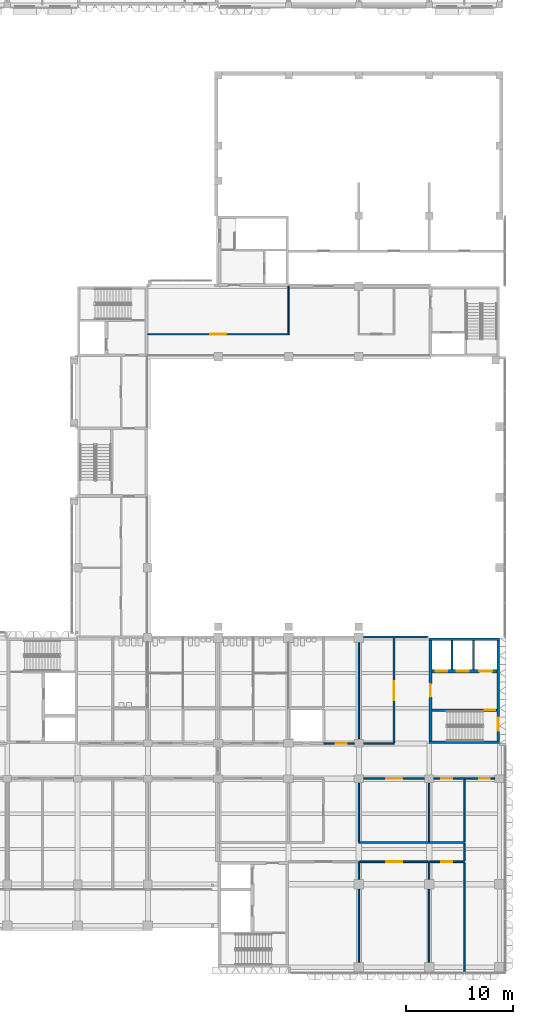
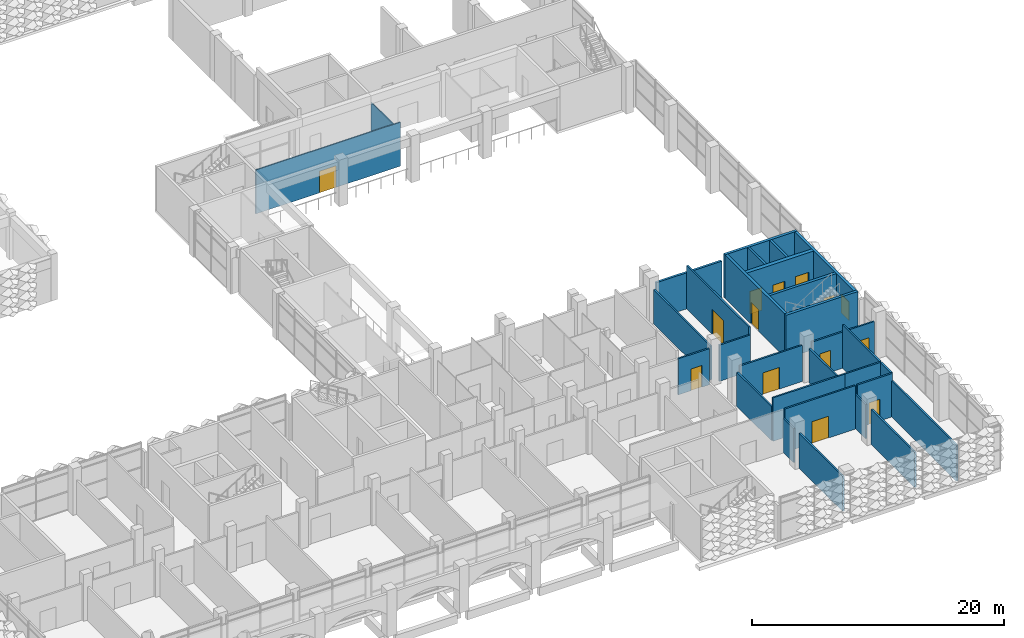
# One storey, part 31 of 87: 31 walls, 13 doors, 1 window, 14 openings.
"""IFC4 building model written with IfcOpenShell, lengths in metres."""

from ifc_helpers import new_model, si_unit, direction, frame, frame_2d, origin, place, context, subcontext, project, spatial, rectangle, extrude, material, layer, layer_set, type_object, element, fill, save


model = new_model("IFC4")

# Units and contexts
model_context = context("Model", 3, precision=1e-05, world=origin(), true_north=direction((0.0, 1.0)))
body_context = subcontext(model_context, "Body", "Model", "MODEL_VIEW")
ifc_project = project(units=[si_unit("LENGTHUNIT", "METRE"), si_unit("AREAUNIT", "SQUARE_METRE"), si_unit("VOLUMEUNIT", "CUBIC_METRE"), si_unit("PLANEANGLEUNIT", "RADIAN"), si_unit("MASSUNIT", "GRAM", prefix="KILO")], contexts=[model_context])

# Site, building, storey
site_placement = place(None, origin())
site = spatial("IfcSite", under=ifc_project, at=site_placement, CompositionType="ELEMENT")
building_placement = place(site_placement, origin())
building = spatial("IfcBuilding", under=site, at=building_placement, Name="Lantern Court Research Institute", CompositionType="ELEMENT")
storey_placement = place(building_placement, frame((0.0, 0.0, 5.39990234375)))
storey = spatial("IfcBuildingStorey", under=building, at=storey_placement, Name="L01", CompositionType="ELEMENT", Elevation=5.39990234375)

# Wall, opening, door
ifc_material_1 = material(Name="Fire-rated gypsum board partition, mineral wool filled")
ifc_layer_1 = layer(ifc_material_1, 0.14990234375)
ifc_layer_set_1 = layer_set([ifc_layer_1], Name="Fire-rated gypsum board partition, mineral wool filled")
wall_type_1 = type_object("IfcWallType", Name="Laboratory partition 150 EI 60", PredefinedType="PARTITIONING", material=ifc_layer_set_1)
wall_1_placement = place(storey_placement, frame((62.699951171875, 13.199951171875, 0.0), z_axis=(0.0, 0.0, 1.0), x_axis=(1.0, 0.0, 0.0)))
wall_1 = element("IfcWall", 1, at=wall_1_placement, inside=storey, type_object=wall_type_1, Name="Laboratory partition 150 EI 60", PredefinedType="PARTITIONING", context=body_context, shape_type="SweptSolid", body=[
    extrude(rectangle(XDim=2.85009765625, YDim=0.14990234375, at=frame_2d((1.425048828125, 0.0))), origin(), (0.0, 0.0, 1.0), 3.5),
])
opening_1_placement = place(wall_1_placement, frame((1.14990234375, 0.0, 0.0)))
opening_1 = element("IfcOpeningElement", 2, at=opening_1_placement, cuts=wall_1, Name="Opening D5107", PredefinedType="OPENING", context=body_context, shape_type="SweptSolid", body=[
    extrude(rectangle(XDim=1.0, YDim=2.10009765625, at=frame_2d((0.5, 1.050048828125))), frame((0.0, 0.0849609375, 0.0), z_axis=(0.0, -1.0, 0.0), x_axis=(1.0, 0.0, 0.0)), (0.0, 0.0, 1.0), 0.169921875),
])
ifc_material_2 = material(Name="Solid-core timber door leaf with vision panel", Category="wood")
ifc_layer_2 = layer(ifc_material_2, 0.053955078125)
ifc_layer_set_2 = layer_set([ifc_layer_2], Name="Solid-core timber door leaf with vision panel")
door_type_1 = type_object("IfcDoorType", Name="Laboratory support door 1000 x 2100 single FD30S", OperationType="NOTDEFINED", PredefinedType="DOOR", material=ifc_layer_set_2)
door_1_placement = place(opening_1_placement, origin())
door_1 = element("IfcDoor", 3, at=door_1_placement, inside=storey, type_object=door_type_1, Name="Door D5107", OperationType="SINGLE_SWING_RIGHT", OverallHeight=2.10009765625, OverallWidth=1.0, PredefinedType="DOOR", context=body_context, shape_type="SweptSolid", body=[
    extrude(rectangle(XDim=1.0, YDim=2.10009765625, at=frame_2d((0.5, 1.050048828125))), frame((0.0, 0.02685546875, 0.0), z_axis=(0.0, -1.0, 0.0), x_axis=(1.0, 0.0, 0.0)), (0.0, 0.0, 1.0), 0.053955078125),
])
fill(opening_1, door_1)

# Wall
wall_2_placement = place(storey_placement, frame((69.300048828125, 13.199951171875, 0.0), z_axis=(0.0, 0.0, 1.0), x_axis=(-1.0, 0.0, 0.0)))
element("IfcWall", 4, at=wall_2_placement, inside=storey, type_object=wall_type_1, Name="Laboratory partition 150 EI 60", PredefinedType="PARTITIONING", context=body_context, shape_type="SweptSolid", body=[
    extrude(rectangle(XDim=2.85009765625, YDim=0.14990234375, at=frame_2d((1.425048828125, 0.0))), origin(), (0.0, 0.0, 1.0), 3.5),
])

# Wall, opening, door
wall_3_placement = place(storey_placement, frame((66.449951171875, 9.89990234375, 0.0), z_axis=(0.0, 0.0, 1.0), x_axis=(1.0, 0.0, 0.0)))
wall_3 = element("IfcWall", 5, at=wall_3_placement, inside=storey, type_object=wall_type_1, Name="Laboratory partition 150 EI 60", PredefinedType="PARTITIONING", context=body_context, shape_type="SweptSolid", body=[
    extrude(rectangle(XDim=5.699951171875, YDim=0.14990234375, at=frame_2d((2.85009765625, 0.0))), origin(), (0.0, 0.0, 1.0), 3.5),
])
opening_2_placement = place(wall_3_placement, frame((2.10009765625, 0.0, 0.0)))
opening_2 = element("IfcOpeningElement", 6, at=opening_2_placement, cuts=wall_3, Name="Opening D5114", PredefinedType="OPENING", context=body_context, shape_type="SweptSolid", body=[
    extrude(rectangle(XDim=1.5, YDim=2.10009765625, at=frame_2d((0.75, 1.050048828125))), frame((0.0, 0.0849609375, 0.0), z_axis=(0.0, -1.0, 0.0), x_axis=(1.0, 0.0, 0.0)), (0.0, 0.0, 1.0), 0.169921875),
])
ifc_material_3 = material(Name="Solid-core timber door leaf with vision panel", Category="wood")
ifc_layer_3 = layer(ifc_material_3, 0.053955078125)
ifc_layer_set_3 = layer_set([ifc_layer_3], Name="Solid-core timber door leaf with vision panel")
door_type_2 = type_object("IfcDoorType", Name="Laboratory double door 1500 x 2100 pair FD30S", OperationType="DOUBLE_DOOR_SINGLE_SWING", PredefinedType="DOOR", material=ifc_layer_set_3)
door_2_placement = place(opening_2_placement, origin())
door_2 = element("IfcDoor", 7, at=door_2_placement, inside=storey, type_object=door_type_2, Name="Door D5114", OperationType="DOUBLE_DOOR_SINGLE_SWING", OverallHeight=2.10009765625, OverallWidth=1.5, PredefinedType="DOOR", context=body_context, shape_type="SweptSolid", body=[
    extrude(rectangle(XDim=1.5, YDim=2.10009765625, at=frame_2d((0.75, 1.050048828125))), frame((0.0, 0.02685546875, 0.0), z_axis=(0.0, -1.0, 0.0), x_axis=(1.0, 0.0, 0.0)), (0.0, 0.0, 1.0), 0.053955078125),
])
fill(opening_2, door_2)

wall_4_placement = place(storey_placement, frame((73.050048828125, 9.89990234375, 0.0), z_axis=(0.0, 0.0, 1.0), x_axis=(1.0, 0.0, 0.0)))
wall_4 = element("IfcWall", 8, at=wall_4_placement, inside=storey, type_object=wall_type_1, Name="Laboratory partition 150 EI 60", PredefinedType="PARTITIONING", context=body_context, shape_type="SweptSolid", body=[
    extrude(rectangle(XDim=2.849853515625, YDim=0.14990234375, at=frame_2d((1.4248046875, 0.0))), origin(), (0.0, 0.0, 1.0), 3.5),
])
opening_3_placement = place(wall_4_placement, frame((0.699951171875, 0.0, 0.0)))
opening_3 = element("IfcOpeningElement", 9, at=opening_3_placement, cuts=wall_4, Name="Opening D5115", PredefinedType="OPENING", context=body_context, shape_type="SweptSolid", body=[
    extrude(rectangle(XDim=1.0, YDim=2.10009765625, at=frame_2d((0.5, 1.050048828125))), frame((0.0, 0.0849609375, 0.0), z_axis=(0.0, -1.0, 0.0), x_axis=(1.0, 0.0, 0.0)), (0.0, 0.0, 1.0), 0.169921875),
])
ifc_material_4 = material(Name="Solid-core timber door leaf with vision panel", Category="wood")
ifc_layer_4 = layer(ifc_material_4, 0.053955078125)
ifc_layer_set_4 = layer_set([ifc_layer_4], Name="Solid-core timber door leaf with vision panel")
door_type_3 = type_object("IfcDoorType", Name="Laboratory door 1000 x 2100 single FD30S", OperationType="NOTDEFINED", PredefinedType="DOOR", material=ifc_layer_set_4)
door_3_placement = place(opening_3_placement, origin())
door_3 = element("IfcDoor", 10, at=door_3_placement, inside=storey, type_object=door_type_3, Name="Door D5115", OperationType="SINGLE_SWING_LEFT", OverallHeight=2.10009765625, OverallWidth=1.0, PredefinedType="DOOR", context=body_context, shape_type="SweptSolid", body=[
    extrude(rectangle(XDim=1.0, YDim=2.10009765625, at=frame_2d((0.5, 1.050048828125))), frame((0.0, 0.02685546875, 0.0), z_axis=(0.0, -1.0, 0.0), x_axis=(1.0, 0.0, 0.0)), (0.0, 0.0, 1.0), 0.053955078125),
])
fill(opening_3, door_3)

wall_5_placement = place(storey_placement, frame((75.89990234375, 9.89990234375, 0.0), z_axis=(0.0, 0.0, 1.0), x_axis=(1.0, 0.0, 0.0)))
wall_5 = element("IfcWall", 11, at=wall_5_placement, inside=storey, type_object=wall_type_1, Name="Laboratory partition 150 EI 60", PredefinedType="PARTITIONING", context=body_context, shape_type="SweptSolid", body=[
    extrude(rectangle(XDim=2.85009765625, YDim=0.14990234375, at=frame_2d((1.425048828125, 0.0))), origin(), (0.0, 0.0, 1.0), 3.5),
])
opening_4_placement = place(wall_5_placement, frame((1.375, 0.0, 0.0)))
opening_4 = element("IfcOpeningElement", 12, at=opening_4_placement, cuts=wall_5, Name="Opening D5116", PredefinedType="OPENING", context=body_context, shape_type="SweptSolid", body=[
    extrude(rectangle(XDim=1.0, YDim=2.10009765625, at=frame_2d((0.5, 1.050048828125))), frame((0.0, 0.0849609375, 0.0), z_axis=(0.0, -1.0, 0.0), x_axis=(1.0, 0.0, 0.0)), (0.0, 0.0, 1.0), 0.169921875),
])
door_4_placement = place(opening_4_placement, origin())
door_4 = element("IfcDoor", 13, at=door_4_placement, inside=storey, type_object=door_type_3, Name="Door D5116", OperationType="SINGLE_SWING_LEFT", OverallHeight=2.10009765625, OverallWidth=1.0, PredefinedType="DOOR", context=body_context, shape_type="SweptSolid", body=[
    extrude(rectangle(XDim=1.0, YDim=2.10009765625, at=frame_2d((0.5, 1.050048828125))), frame((0.0, 0.02685546875, 0.0), z_axis=(0.0, -1.0, 0.0), x_axis=(1.0, 0.0, 0.0)), (0.0, 0.0, 1.0), 0.053955078125),
])
fill(opening_4, door_4)

# Wall
wall_6_placement = place(storey_placement, frame((66.0, 13.64990234375, 0.0), z_axis=(0.0, 0.0, 1.0), x_axis=(0.0, 1.0, 0.0)))
element("IfcWall", 14, at=wall_6_placement, inside=storey, type_object=wall_type_1, Name="Laboratory partition 150 EI 60", PredefinedType="PARTITIONING", context=body_context, shape_type="SweptSolid", body=[
    extrude(rectangle(XDim=9.0, YDim=0.14990234375, at=frame_2d((4.5, 0.0))), origin(), (0.0, 0.0, 1.0), 3.300048828125),
])

# Wall, opening, door
wall_7_placement = place(storey_placement, frame((69.300048828125, 23.10009765625, 0.0), z_axis=(0.0, 0.0, 1.0), x_axis=(0.0, -1.0, 0.0)))
wall_7 = element("IfcWall", 15, at=wall_7_placement, inside=storey, type_object=wall_type_1, Name="Laboratory partition 150 EI 60", PredefinedType="PARTITIONING", context=body_context, shape_type="SweptSolid", body=[
    extrude(rectangle(XDim=9.8251953125, YDim=0.14990234375, at=frame_2d((4.91259765625, 0.0))), origin(), (0.0, 0.0, 1.0), 4.2001953125),
])
opening_5_placement = place(wall_7_placement, frame((4.050048828125, 0.0, 0.0)))
opening_5 = element("IfcOpeningElement", 16, at=opening_5_placement, cuts=wall_7, Name="Opening D5108", PredefinedType="OPENING", context=body_context, shape_type="SweptSolid", body=[
    extrude(rectangle(XDim=1.800048828125, YDim=2.39990234375, at=frame_2d((0.89990234375, 1.199951171875))), frame((0.0, 0.0849609375, 0.0), z_axis=(0.0, -1.0, 0.0), x_axis=(1.0, 0.0, 0.0)), (0.0, 0.0, 1.0), 0.169921875),
])
ifc_material_5 = material(Name="Solid-core timber door leaf with vision panel", Category="wood")
ifc_layer_5 = layer(ifc_material_5, 0.053955078125)
ifc_layer_set_5 = layer_set([ifc_layer_5], Name="Solid-core timber door leaf with vision panel")
door_type_4 = type_object("IfcDoorType", Name="Laboratory equipment door 1800 x 2400 pair FD30S", OperationType="DOUBLE_DOOR_SINGLE_SWING", PredefinedType="DOOR", material=ifc_layer_set_5)
door_5_placement = place(opening_5_placement, origin())
door_5 = element("IfcDoor", 17, at=door_5_placement, inside=storey, type_object=door_type_4, Name="Door D5108", OperationType="DOUBLE_DOOR_SINGLE_SWING", OverallHeight=2.39990234375, OverallWidth=1.800048828125, PredefinedType="DOOR", context=body_context, shape_type="SweptSolid", body=[
    extrude(rectangle(XDim=1.800048828125, YDim=2.39990234375, at=frame_2d((0.89990234375, 1.199951171875))), frame((0.0, 0.02685546875, 0.0), z_axis=(0.0, -1.0, 0.0), x_axis=(1.0, 0.0, 0.0)), (0.0, 0.0, 1.0), 0.053955078125),
])
fill(opening_5, door_5)

# Walls
wall_8_placement = place(storey_placement, frame((66.0, -7.35009765625, 0.0), z_axis=(0.0, 0.0, 1.0), x_axis=(0.0, 1.0, 0.0)))
element("IfcWall", 18, at=wall_8_placement, inside=storey, type_object=wall_type_1, Name="Laboratory partition 150 EI 60", PredefinedType="PARTITIONING", context=body_context, shape_type="SweptSolid", body=[
    extrude(rectangle(XDim=6.900146484375, YDim=0.14990234375, at=frame_2d((3.4501953125, 0.0))), origin(), (0.0, 0.0, 1.0), 3.400146484375),
])
wall_9_placement = place(storey_placement, frame((66.0, 0.449951171875, 0.0), z_axis=(0.0, 0.0, 1.0), x_axis=(0.0, 1.0, 0.0)))
element("IfcWall", 19, at=wall_9_placement, inside=storey, type_object=wall_type_1, Name="Laboratory partition 150 EI 60", PredefinedType="PARTITIONING", context=body_context, shape_type="SweptSolid", body=[
    extrude(rectangle(XDim=1.650146484375, YDim=0.14990234375, at=frame_2d((0.8251953125, 0.0))), origin(), (0.0, 0.0, 1.0), 3.300048828125),
])
wall_10_placement = place(storey_placement, frame((72.60009765625, -7.35009765625, 0.0), z_axis=(0.0, 0.0, 1.0), x_axis=(0.0, 1.0, 0.0)))
element("IfcWall", 20, at=wall_10_placement, inside=storey, type_object=wall_type_1, Name="Laboratory partition 150 EI 60", PredefinedType="PARTITIONING", context=body_context, shape_type="SweptSolid", body=[
    extrude(rectangle(XDim=6.900146484375, YDim=0.14990234375, at=frame_2d((3.4501953125, 0.0))), origin(), (0.0, 0.0, 1.0), 3.400146484375),
])
wall_11_placement = place(storey_placement, frame((72.60009765625, 0.449951171875, 0.0), z_axis=(0.0, 0.0, 1.0), x_axis=(0.0, 1.0, 0.0)))
element("IfcWall", 21, at=wall_11_placement, inside=storey, type_object=wall_type_1, Name="Laboratory partition 150 EI 60", PredefinedType="PARTITIONING", context=body_context, shape_type="SweptSolid", body=[
    extrude(rectangle(XDim=1.650146484375, YDim=0.14990234375, at=frame_2d((0.8251953125, 0.0))), origin(), (0.0, 0.0, 1.0), 3.300048828125),
])

# Wall, opening, door
wall_12_placement = place(storey_placement, frame((72.52490234375, 2.10009765625, 0.0), z_axis=(0.0, 0.0, 1.0), x_axis=(-1.0, 0.0, 0.0)))
wall_12 = element("IfcWall", 22, at=wall_12_placement, inside=storey, type_object=wall_type_1, Name="Laboratory partition 150 EI 60", PredefinedType="PARTITIONING", context=body_context, shape_type="SweptSolid", body=[
    extrude(rectangle(XDim=6.449951171875, YDim=0.14990234375, at=frame_2d((3.22509765625, 0.0))), origin(), (0.0, 0.0, 1.0), 4.2001953125),
])
opening_6_placement = place(wall_12_placement, frame((2.47509765625, 0.0, 0.0)))
opening_6 = element("IfcOpeningElement", 23, at=opening_6_placement, cuts=wall_12, Name="Opening D5110", PredefinedType="OPENING", context=body_context, shape_type="SweptSolid", body=[
    extrude(rectangle(XDim=1.5, YDim=2.10009765625, at=frame_2d((0.75, 1.050048828125))), frame((0.0, 0.0849609375, 0.0), z_axis=(0.0, -1.0, 0.0), x_axis=(1.0, 0.0, 0.0)), (0.0, 0.0, 1.0), 0.169921875),
])
door_6_placement = place(opening_6_placement, origin())
door_6 = element("IfcDoor", 24, at=door_6_placement, inside=storey, type_object=door_type_2, Name="Door D5110", OperationType="DOUBLE_DOOR_SINGLE_SWING", OverallHeight=2.10009765625, OverallWidth=1.5, PredefinedType="DOOR", context=body_context, shape_type="SweptSolid", body=[
    extrude(rectangle(XDim=1.5, YDim=2.10009765625, at=frame_2d((0.75, 1.050048828125))), frame((0.0, 0.02685546875, 0.0), z_axis=(0.0, -1.0, 0.0), x_axis=(1.0, 0.0, 0.0)), (0.0, 0.0, 1.0), 0.053955078125),
])
fill(opening_6, door_6)

wall_13_placement = place(storey_placement, frame((75.89990234375, 2.10009765625, 0.0), z_axis=(0.0, 0.0, 1.0), x_axis=(-1.0, 0.0, 0.0)))
wall_13 = element("IfcWall", 25, at=wall_13_placement, inside=storey, type_object=wall_type_1, Name="Laboratory partition 150 EI 60", PredefinedType="PARTITIONING", context=body_context, shape_type="SweptSolid", body=[
    extrude(rectangle(XDim=3.224853515625, YDim=0.14990234375, at=frame_2d((1.6123046875, 0.0))), origin(), (0.0, 0.0, 1.0), 4.2001953125),
])
opening_7_placement = place(wall_13_placement, frame((1.14990234375, 0.0, 0.0)))
opening_7 = element("IfcOpeningElement", 26, at=opening_7_placement, cuts=wall_13, Name="Opening D5111", PredefinedType="OPENING", context=body_context, shape_type="SweptSolid", body=[
    extrude(rectangle(XDim=1.0, YDim=2.10009765625, at=frame_2d((0.5, 1.050048828125))), frame((0.0, 0.0849609375, 0.0), z_axis=(0.0, -1.0, 0.0), x_axis=(1.0, 0.0, 0.0)), (0.0, 0.0, 1.0), 0.169921875),
])
door_7_placement = place(opening_7_placement, origin())
door_7 = element("IfcDoor", 27, at=door_7_placement, inside=storey, type_object=door_type_3, Name="Door D5111", OperationType="SINGLE_SWING_LEFT", OverallHeight=2.10009765625, OverallWidth=1.0, PredefinedType="DOOR", context=body_context, shape_type="SweptSolid", body=[
    extrude(rectangle(XDim=1.0, YDim=2.10009765625, at=frame_2d((0.5, 1.050048828125))), frame((0.0, 0.02685546875, 0.0), z_axis=(0.0, -1.0, 0.0), x_axis=(1.0, 0.0, 0.0)), (0.0, 0.0, 1.0), 0.053955078125),
])
fill(opening_7, door_7)

# Walls
wall_14_placement = place(storey_placement, frame((75.89990234375, -8.25, 0.0), z_axis=(0.0, 0.0, 1.0), x_axis=(0.0, 1.0, 0.0)))
element("IfcWall", 28, at=wall_14_placement, inside=storey, type_object=wall_type_1, Name="Laboratory partition 150 EI 60", PredefinedType="PARTITIONING", context=body_context, shape_type="SweptSolid", body=[
    extrude(rectangle(XDim=10.27490234375, YDim=0.14990234375, at=frame_2d((5.137451171875, 0.0))), origin(), (0.0, 0.0, 1.0), 3.5),
])
wall_15_placement = place(storey_placement, frame((72.60009765625, 3.89990234375, 0.0), z_axis=(0.0, 0.0, 1.0), x_axis=(-1.0, 0.0, 0.0)))
element("IfcWall", 29, at=wall_15_placement, inside=storey, type_object=wall_type_1, Name="Laboratory partition 150 EI 60", PredefinedType="PARTITIONING", context=body_context, shape_type="SweptSolid", body=[
    extrude(rectangle(XDim=6.60009765625, YDim=0.14990234375, at=frame_2d((3.300048828125, 0.0))), origin(), (0.0, 0.0, 1.0), 4.2001953125),
])
wall_16_placement = place(storey_placement, frame((75.89990234375, 3.89990234375, 0.0), z_axis=(0.0, 0.0, 1.0), x_axis=(-1.0, 0.0, 0.0)))
element("IfcWall", 30, at=wall_16_placement, inside=storey, type_object=wall_type_1, Name="Laboratory partition 150 EI 60", PredefinedType="PARTITIONING", context=body_context, shape_type="SweptSolid", body=[
    extrude(rectangle(XDim=3.2998046875, YDim=0.14990234375, at=frame_2d((1.64990234375, 0.0))), origin(), (0.0, 0.0, 1.0), 4.2001953125),
])
wall_17_placement = place(storey_placement, frame((75.89990234375, 2.175048828125, 0.0), z_axis=(0.0, 0.0, 1.0), x_axis=(0.0, 1.0, 0.0)))
element("IfcWall", 31, at=wall_17_placement, inside=storey, type_object=wall_type_1, Name="Laboratory partition 150 EI 60", PredefinedType="PARTITIONING", context=body_context, shape_type="SweptSolid", body=[
    extrude(rectangle(XDim=1.64990234375, YDim=0.14990234375, at=frame_2d((0.824951171875, 0.0))), origin(), (0.0, 0.0, 1.0), 4.2001953125),
])
for number, where, z_axis, x_axis, name in (
    (32, (66.0, 3.97509765625, 0.0), (0.0, 0.0, 1.0), (0.0, 1.0, 0.0), "Laboratory partition 150 EI 60"),
    (33, (72.60009765625, 3.97509765625, 0.0), (0.0, 0.0, 1.0), (0.0, 1.0, 0.0), "Laboratory partition 150 EI 60"),
):
    element("IfcWall", number, at=place(storey_placement, frame(where, z_axis=z_axis, x_axis=x_axis)), inside=storey, type_object=wall_type_1, Name=name, PredefinedType="PARTITIONING", context=body_context, shape_type="SweptSolid", body=[
        extrude(rectangle(XDim=5.474853515625, YDim=0.14990234375, at=frame_2d((2.7373046875, 0.0))), origin(), (0.0, 0.0, 1.0), 3.300048828125),
    ])
wall_18_placement = place(storey_placement, frame((75.89990234375, 3.97509765625, 0.0), z_axis=(0.0, 0.0, 1.0), x_axis=(0.0, 1.0, 0.0)))
element("IfcWall", 34, at=wall_18_placement, inside=storey, type_object=wall_type_1, Name="Laboratory partition 150 EI 60", PredefinedType="PARTITIONING", context=body_context, shape_type="SweptSolid", body=[
    extrude(rectangle(XDim=5.849853515625, YDim=0.14990234375, at=frame_2d((2.9248046875, 0.0))), origin(), (0.0, 0.0, 1.0), 4.2001953125),
])

# Wall, opening, door
ifc_material_6 = material(Name="Gypsum board on metal studs")
ifc_layer_6 = layer(ifc_material_6, 0.10009765625)
ifc_layer_set_6 = layer_set([ifc_layer_6], Name="Gypsum board on metal studs")
wall_type_2 = type_object("IfcWallType", Name="Partition 100 mm", PredefinedType="PARTITIONING", material=ifc_layer_set_6)
wall_19_placement = place(storey_placement, frame((46.199951171875, 51.60009765625, 0.0), z_axis=(0.0, 0.0, 1.0), x_axis=(1.0, 0.0, 0.0)))
wall_19 = element("IfcWall", 35, at=wall_19_placement, inside=storey, type_object=wall_type_2, Name="Wall V2-L01-007", PredefinedType="PARTITIONING", context=body_context, shape_type="SweptSolid", body=[
    extrude(rectangle(XDim=13.25, YDim=0.10009765625, at=frame_2d((6.625, 0.0))), origin(), (0.0, 0.0, 1.0), 4.25),
])
opening_8_placement = place(wall_19_placement, frame((5.85009765625, 0.0, 0.0)))
opening_8 = element("IfcOpeningElement", 36, at=opening_8_placement, cuts=wall_19, Name="Opening D2101", PredefinedType="OPENING", context=body_context, shape_type="SweptSolid", body=[
    extrude(rectangle(XDim=1.5, YDim=2.10009765625, at=frame_2d((0.75, 1.050048828125))), frame((0.0, 0.06005859375, 0.0), z_axis=(0.0, -1.0, 0.0), x_axis=(1.0, 0.0, 0.0)), (0.0, 0.0, 1.0), 0.1201171875),
])
ifc_material_7 = material(Name="Timber veneered door leaf", Category="wood")
door_type_5 = type_object("IfcDoorType", Name="Door 1500 x 2100 reading room pair", OperationType="DOUBLE_DOOR_SINGLE_SWING", PredefinedType="DOOR", material=ifc_material_7)
door_8_placement = place(opening_8_placement, origin())
door_8 = element("IfcDoor", 37, at=door_8_placement, inside=storey, type_object=door_type_5, Name="Door D2101", OperationType="DOUBLE_DOOR_SINGLE_SWING", OverallHeight=2.10009765625, OverallWidth=1.5, PredefinedType="DOOR", context=body_context, shape_type="SweptSolid", body=[
    extrude(rectangle(XDim=1.5, YDim=2.10009765625, at=frame_2d((0.75, 1.050048828125))), frame((0.0, 0.02490234375, 0.0), z_axis=(0.0, -1.0, 0.0), x_axis=(1.0, 0.0, 0.0)), (0.0, 0.0, 1.0), 0.050048828125),
])
fill(opening_8, door_8)

# Walls
wall_20_placement = place(storey_placement, frame((59.39990234375, 51.64990234375, 0.0), z_axis=(0.0, 0.0, 1.0), x_axis=(0.0, 1.0, 0.0)))
element("IfcWall", 38, at=wall_20_placement, inside=storey, type_object=wall_type_2, Name="Wall V2-L01-011", PredefinedType="PARTITIONING", context=body_context, shape_type="SweptSolid", body=[
    extrude(rectangle(XDim=4.4501953125, YDim=0.10009765625, at=frame_2d((2.22509765625, 0.0))), origin(), (0.0, 0.0, 1.0), 3.4501953125),
])
ifc_material_8 = material(Name="Fire-rated blockwork", Category="masonry")
ifc_layer_7 = layer(ifc_material_8, 0.199951171875)
ifc_layer_set_7 = layer_set([ifc_layer_7], Name="Fire-rated blockwork")
wall_type_3 = type_object("IfcWallType", Name="Party wall 200 mm EI 120", PredefinedType="PARTITIONING", material=ifc_layer_set_7)
wall_21_placement = place(storey_placement, frame((66.449951171875, 23.199951171875, 0.0), z_axis=(0.0, 0.0, 1.0), x_axis=(1.0, 0.0, 0.0)))
element("IfcWall", 39, at=wall_21_placement, inside=storey, type_object=wall_type_3, Name="Wall V2-L01-005", PredefinedType="PARTITIONING", context=body_context, shape_type="SweptSolid", body=[
    extrude(rectangle(XDim=6.0, YDim=0.199951171875, at=frame_2d((3.0, 0.0))), origin(), (0.0, 0.0, 1.0), 3.5),
])
ifc_material_9 = material(Name="Concrete C40/50", Category="concrete")
ifc_layer_8 = layer(ifc_material_9, 0.25)
ifc_layer_set_8 = layer_set([ifc_layer_8], Name="Concrete C40/50")
wall_type_4 = type_object("IfcWallType", Name="RC core wall 250", PredefinedType="SHEAR", material=ifc_layer_set_8)
wall_22_placement = place(storey_placement, frame((72.60009765625, 13.324951171875, 0.0), z_axis=(0.0, 0.0, 1.0), x_axis=(1.0, 0.0, 0.0)))
element("IfcWall", 40, at=wall_22_placement, inside=storey, type_object=wall_type_4, Name="South wall of core TC-E", PredefinedType="SHEAR", context=body_context, shape_type="SweptSolid", body=[
    extrude(rectangle(XDim=6.599853515625, YDim=0.25, at=frame_2d((3.2998046875, 0.0))), origin(), (0.0, 0.0, 1.0), 4.2001953125),
])

# Wall, opening, door
wall_23_placement = place(storey_placement, frame((72.72509765625, 13.449951171875, 0.0), z_axis=(0.0, 0.0, 1.0), x_axis=(0.0, 1.0, 0.0)))
wall_23 = element("IfcWall", 41, at=wall_23_placement, inside=storey, type_object=wall_type_4, Name="West wall of core TC-E", PredefinedType="SHEAR", context=body_context, shape_type="SweptSolid", body=[
    extrude(rectangle(XDim=9.400146484375, YDim=0.25, at=frame_2d((4.7001953125, 0.0))), origin(), (0.0, 0.0, 1.0), 4.2001953125),
])
opening_9_placement = place(wall_23_placement, frame((4.125, 0.0, 0.0)))
opening_9 = element("IfcOpeningElement", 42, at=opening_9_placement, cuts=wall_23, Name="Opening D7152", PredefinedType="OPENING", context=body_context, shape_type="SweptSolid", body=[
    extrude(rectangle(XDim=1.199951171875, YDim=2.10009765625, at=frame_2d((0.60009765625, 1.050048828125))), frame((0.0, 0.135009765625, 0.0), z_axis=(0.0, -1.0, 0.0), x_axis=(1.0, 0.0, 0.0)), (0.0, 0.0, 1.0), 0.27001953125),
])
ifc_material_10 = material(Name="Steel fire door leaf with smoke seals", Category="steel")
door_type_6 = type_object("IfcDoorType", Name="Door 1200 x 2100 fire rated FD60S", OperationType="NOTDEFINED", PredefinedType="DOOR", material=ifc_material_10)
door_9_placement = place(opening_9_placement, origin())
door_9 = element("IfcDoor", 43, at=door_9_placement, inside=storey, type_object=door_type_6, Name="Lobby door", OperationType="SINGLE_SWING_LEFT", OverallHeight=2.10009765625, OverallWidth=1.199951171875, PredefinedType="DOOR", context=body_context, shape_type="SweptSolid", body=[
    extrude(rectangle(XDim=1.199951171875, YDim=2.10009765625, at=frame_2d((0.60009765625, 1.050048828125))), frame((0.0, 0.02490234375, 0.0), z_axis=(0.0, -1.0, 0.0), x_axis=(1.0, 0.0, 0.0)), (0.0, 0.0, 1.0), 0.050048828125),
])
fill(opening_9, door_9)

# Wall
ifc_material_11 = material(Name="Concrete C40/50", Category="concrete")
ifc_layer_9 = layer(ifc_material_11, 0.25)
ifc_layer_set_9 = layer_set([ifc_layer_9], Name="Concrete C40/50")
wall_type_5 = type_object("IfcWallType", Name="RC core wall 250 facade", PredefinedType="SHEAR", material=ifc_layer_set_9)
wall_24_placement = place(storey_placement, frame((72.60009765625, 22.97509765625, 0.0), z_axis=(0.0, 0.0, 1.0), x_axis=(1.0, 0.0, 0.0)))
element("IfcWall", 44, at=wall_24_placement, inside=storey, type_object=wall_type_5, Name="North wall of core TC-E", PredefinedType="SHEAR", context=body_context, shape_type="SweptSolid", body=[
    extrude(rectangle(XDim=6.599853515625, YDim=0.25, at=frame_2d((3.2998046875, 0.0))), origin(), (0.0, 0.0, 1.0), 4.2001953125),
])

# Wall, opening, window
wall_25_placement = place(storey_placement, frame((79.074951171875, 13.449951171875, 0.0), z_axis=(0.0, 0.0, 1.0), x_axis=(0.0, 1.0, 0.0)))
wall_25 = element("IfcWall", 45, at=wall_25_placement, inside=storey, type_object=wall_type_5, Name="East wall of core TC-E", PredefinedType="SHEAR", context=body_context, shape_type="SweptSolid", body=[
    extrude(rectangle(XDim=9.400146484375, YDim=0.25, at=frame_2d((4.7001953125, 0.0))), origin(), (0.0, 0.0, 1.0), 4.2001953125),
])
opening_10_placement = place(wall_25_placement, frame((0.949951171875, 0.0, 0.699951171875)))
opening_10 = element("IfcOpeningElement", 46, at=opening_10_placement, cuts=wall_25, Name="Opening W7", PredefinedType="OPENING", context=body_context, shape_type="SweptSolid", body=[
    extrude(rectangle(XDim=1.199951171875, YDim=1.800048828125, at=frame_2d((0.60009765625, 0.89990234375))), frame((0.0, 0.135009765625, 0.0), z_axis=(0.0, -1.0, 0.0), x_axis=(1.0, 0.0, 0.0)), (0.0, 0.0, 1.0), 0.27001953125),
])
ifc_material_12 = material(Name="Aluminium alloy 6063-T6 frame with laminated glass", Category="aluminium")
window_type = type_object("IfcWindowType", Name="Stair window 1200 x 1800", PartitioningType="SINGLE_PANEL", PredefinedType="WINDOW", material=ifc_material_12)
window_placement = place(opening_10_placement, origin())
window = element("IfcWindow", 47, at=window_placement, inside=storey, type_object=window_type, Name="Stair window", OverallHeight=1.800048828125, OverallWidth=1.199951171875, PartitioningType="SINGLE_PANEL", PredefinedType="WINDOW", context=body_context, shape_type="SweptSolid", body=[
    extrude(rectangle(XDim=1.199951171875, YDim=1.800048828125, at=frame_2d((0.60009765625, 0.89990234375))), frame((0.0, 0.030029296875, 0.0), z_axis=(0.0, -1.0, 0.0), x_axis=(1.0, 0.0, 0.0)), (0.0, 0.0, 1.0), 0.06005859375),
])
fill(opening_10, window)

# Walls
ifc_material_13 = material(Name="Concrete C40/50", Category="concrete")
ifc_layer_10 = layer(ifc_material_13, 0.199951171875)
ifc_layer_set_10 = layer_set([ifc_layer_10], Name="Concrete C40/50")
wall_type_6 = type_object("IfcWallType", Name="RC shaft wall 200", PredefinedType="SHEAR", material=ifc_layer_set_10)
for number, where, z_axis, x_axis, name in (
    (48, (74.75, 20.14990234375, 0.0), (0.0, 0.0, 1.0), (0.0, 1.0, 0.0), "Lift shaft wall of core TC-E"),
    (49, (76.75, 20.14990234375, 0.0), (0.0, 0.0, 1.0), (0.0, 1.0, 0.0), "Lift shaft wall of core TC-E"),
):
    element("IfcWall", number, at=place(storey_placement, frame(where, z_axis=z_axis, x_axis=x_axis)), inside=storey, type_object=wall_type_6, Name=name, PredefinedType="SHEAR", context=body_context, shape_type="SweptSolid", body=[
        extrude(rectangle(XDim=2.7001953125, YDim=0.199951171875, at=frame_2d((1.35009765625, 0.0))), origin(), (0.0, 0.0, 1.0), 4.2001953125),
    ])

# Wall, opening, door
ifc_material_14 = material(Name="Concrete C40/50", Category="concrete")
ifc_layer_11 = layer(ifc_material_14, 0.25)
ifc_layer_set_11 = layer_set([ifc_layer_11], Name="Concrete C40/50")
wall_type_7 = type_object("IfcWallType", Name="RC shaft wall 250", PredefinedType="SHEAR", material=ifc_layer_set_11)
wall_26_placement = place(storey_placement, frame((72.85009765625, 16.324951171875, 0.0), z_axis=(0.0, 0.0, 1.0), x_axis=(1.0, 0.0, 0.0)))
wall_26 = element("IfcWall", 50, at=wall_26_placement, inside=storey, type_object=wall_type_7, Name="Stair wall of core TC-E", PredefinedType="SHEAR", context=body_context, shape_type="SweptSolid", body=[
    extrude(rectangle(XDim=6.099853515625, YDim=0.25, at=frame_2d((3.0498046875, 0.0))), origin(), (0.0, 0.0, 1.0), 4.2001953125),
])
opening_11_placement = place(wall_26_placement, frame((4.949951171875, 0.0, 0.0)))
opening_11 = element("IfcOpeningElement", 51, at=opening_11_placement, cuts=wall_26, Name="Opening D7153", PredefinedType="OPENING", context=body_context, shape_type="SweptSolid", body=[
    extrude(rectangle(XDim=1.0, YDim=2.199951171875, at=frame_2d((0.5, 1.10009765625))), frame((0.0, 0.135009765625, 0.0), z_axis=(0.0, -1.0, 0.0), x_axis=(1.0, 0.0, 0.0)), (0.0, 0.0, 1.0), 0.27001953125),
])
ifc_material_15 = material(Name="Steel fire door leaf with smoke seals", Category="steel")
door_type_7 = type_object("IfcDoorType", Name="Door 1000 x 2200 fire rated FD60S", OperationType="NOTDEFINED", PredefinedType="DOOR", material=ifc_material_15)
door_10_placement = place(opening_11_placement, origin())
door_10 = element("IfcDoor", 52, at=door_10_placement, inside=storey, type_object=door_type_7, Name="Stair door", OperationType="SINGLE_SWING_RIGHT", OverallHeight=2.199951171875, OverallWidth=1.0, PredefinedType="DOOR", context=body_context, shape_type="SweptSolid", body=[
    extrude(rectangle(XDim=1.0, YDim=2.199951171875, at=frame_2d((0.5, 1.10009765625))), frame((0.0, 0.02490234375, 0.0), z_axis=(0.0, -1.0, 0.0), x_axis=(1.0, 0.0, 0.0)), (0.0, 0.0, 1.0), 0.050048828125),
])
fill(opening_11, door_10)

# Wall, openings, doors
ifc_material_16 = material(Name="Concrete C40/50", Category="concrete")
ifc_layer_12 = layer(ifc_material_16, 0.35009765625)
ifc_layer_set_12 = layer_set([ifc_layer_12], Name="Concrete C40/50")
wall_type_8 = type_object("IfcWallType", Name="RC shaft wall 350", PredefinedType="SHEAR", material=ifc_layer_set_12)
wall_27_placement = place(storey_placement, frame((72.85009765625, 19.97509765625, 0.0), z_axis=(0.0, 0.0, 1.0), x_axis=(1.0, 0.0, 0.0)))
wall_27 = element("IfcWall", 53, at=wall_27_placement, inside=storey, type_object=wall_type_8, Name="Lift shaft wall of core TC-E", PredefinedType="SHEAR", context=body_context, shape_type="SweptSolid", body=[
    extrude(rectangle(XDim=6.099853515625, YDim=0.35009765625, at=frame_2d((3.0498046875, 0.0))), origin(), (0.0, 0.0, 1.0), 4.2001953125),
])
opening_12_placement = place(wall_27_placement, frame((0.35009765625, 0.0, 0.0)))
opening_12 = element("IfcOpeningElement", 54, at=opening_12_placement, cuts=wall_27, Name="Opening D7154", PredefinedType="OPENING", context=body_context, shape_type="SweptSolid", body=[
    extrude(rectangle(XDim=1.10009765625, YDim=2.199951171875, at=frame_2d((0.550048828125, 1.10009765625))), frame((0.0, 0.18505859375, 0.0), z_axis=(0.0, -1.0, 0.0), x_axis=(1.0, 0.0, 0.0)), (0.0, 0.0, 1.0), 0.3701171875),
])
opening_13_placement = place(wall_27_placement, frame((2.35009765625, 0.0, 0.0)))
opening_13 = element("IfcOpeningElement", 55, at=opening_13_placement, cuts=wall_27, Name="Opening D7155", PredefinedType="OPENING", context=body_context, shape_type="SweptSolid", body=[
    extrude(rectangle(XDim=1.10009765625, YDim=2.199951171875, at=frame_2d((0.550048828125, 1.10009765625))), frame((0.0, 0.18505859375, 0.0), z_axis=(0.0, -1.0, 0.0), x_axis=(1.0, 0.0, 0.0)), (0.0, 0.0, 1.0), 0.3701171875),
])
opening_14_placement = place(wall_27_placement, frame((4.449951171875, 0.0, 0.0)))
opening_14 = element("IfcOpeningElement", 56, at=opening_14_placement, cuts=wall_27, Name="Opening D7156", PredefinedType="OPENING", context=body_context, shape_type="SweptSolid", body=[
    extrude(rectangle(XDim=1.199951171875, YDim=2.300048828125, at=frame_2d((0.60009765625, 1.14990234375))), frame((0.0, 0.18505859375, 0.0), z_axis=(0.0, -1.0, 0.0), x_axis=(1.0, 0.0, 0.0)), (0.0, 0.0, 1.0), 0.3701171875),
])
ifc_material_17 = material(Name="Stainless steel landing door panels", Category="steel")
door_type_8 = type_object("IfcDoorType", Name="Lift landing door 1100 x 2200 sliding FD60", OperationType="DOUBLE_DOOR_SLIDING", PredefinedType="NOTDEFINED", material=ifc_material_17)
door_11_placement = place(opening_12_placement, origin())
door_11 = element("IfcDoor", 57, at=door_11_placement, inside=storey, type_object=door_type_8, Name="Landing door", OperationType="DOUBLE_DOOR_SLIDING", OverallHeight=2.199951171875, OverallWidth=1.10009765625, PredefinedType="NOTDEFINED", context=body_context, shape_type="SweptSolid", body=[
    extrude(rectangle(XDim=1.10009765625, YDim=2.199951171875, at=frame_2d((0.550048828125, 1.10009765625))), frame((0.0, 0.02490234375, 0.0), z_axis=(0.0, -1.0, 0.0), x_axis=(1.0, 0.0, 0.0)), (0.0, 0.0, 1.0), 0.050048828125),
])
fill(opening_12, door_11)
door_12_placement = place(opening_13_placement, origin())
door_12 = element("IfcDoor", 58, at=door_12_placement, inside=storey, type_object=door_type_8, Name="Landing door", OperationType="DOUBLE_DOOR_SLIDING", OverallHeight=2.199951171875, OverallWidth=1.10009765625, PredefinedType="NOTDEFINED", context=body_context, shape_type="SweptSolid", body=[
    extrude(rectangle(XDim=1.10009765625, YDim=2.199951171875, at=frame_2d((0.550048828125, 1.10009765625))), frame((0.0, 0.02490234375, 0.0), z_axis=(0.0, -1.0, 0.0), x_axis=(1.0, 0.0, 0.0)), (0.0, 0.0, 1.0), 0.050048828125),
])
fill(opening_13, door_12)
ifc_material_18 = material(Name="Stainless steel landing door panels", Category="steel")
door_type_9 = type_object("IfcDoorType", Name="Lift landing door 1200 x 2300 sliding FD60", OperationType="DOUBLE_DOOR_SLIDING", PredefinedType="NOTDEFINED", material=ifc_material_18)
door_13_placement = place(opening_14_placement, origin())
door_13 = element("IfcDoor", 59, at=door_13_placement, inside=storey, type_object=door_type_9, Name="Landing door", OperationType="DOUBLE_DOOR_SLIDING", OverallHeight=2.300048828125, OverallWidth=1.199951171875, PredefinedType="NOTDEFINED", context=body_context, shape_type="SweptSolid", body=[
    extrude(rectangle(XDim=1.199951171875, YDim=2.300048828125, at=frame_2d((0.60009765625, 1.14990234375))), frame((0.0, 0.02490234375, 0.0), z_axis=(0.0, -1.0, 0.0), x_axis=(1.0, 0.0, 0.0)), (0.0, 0.0, 1.0), 0.050048828125),
])
fill(opening_14, door_13)

save(model, "model.ifc")
